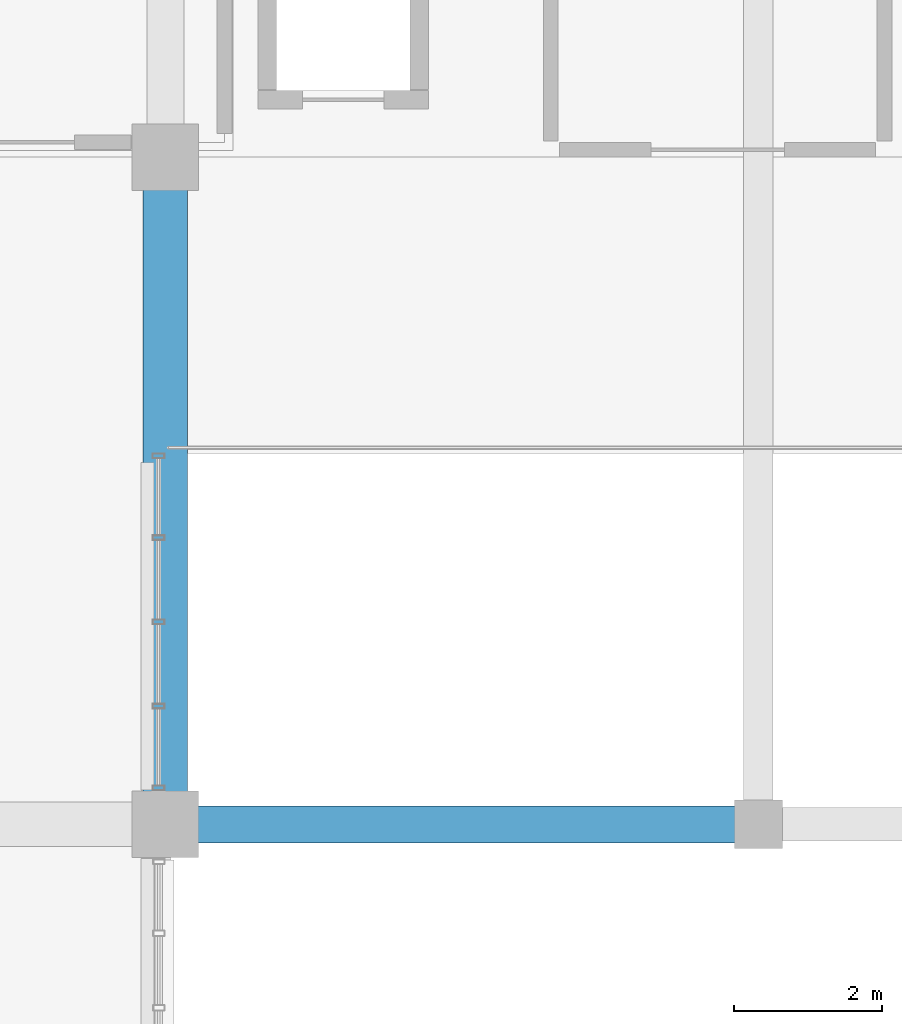
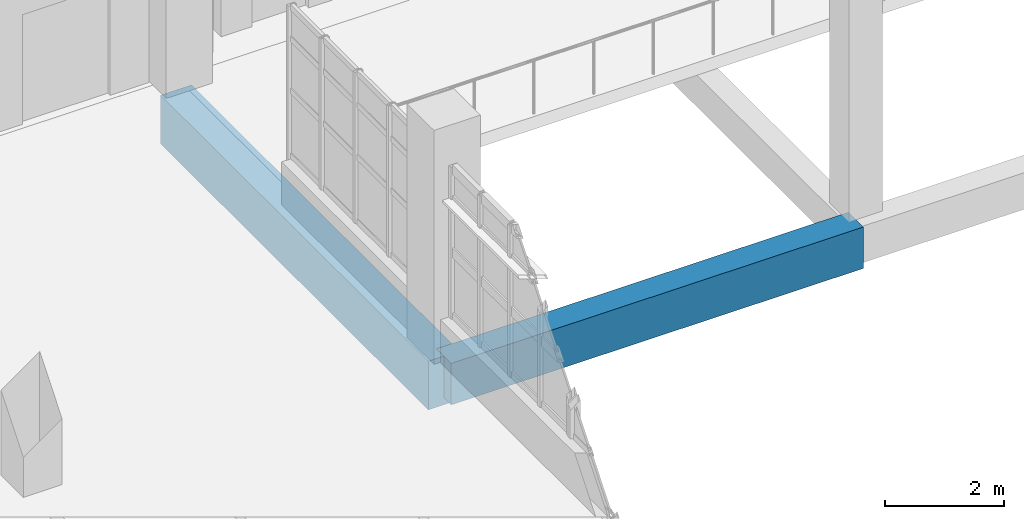
# One storey, part 26 of 102: 2 beams.
"""IFC4 building model written with IfcOpenShell, lengths in metres."""

from ifc_helpers import new_model, si_unit, derived_unit, direction, frame, origin, origin_2d, place, context, subcontext, project, spatial, rectangle, extrude, material, material_profile, profile_set, type_object, element, save


model = new_model("IFC4")

# Units and contexts
model_context = context("Model", 3, precision=1e-05, world=origin(), true_north=direction((0.0, 1.0)))
body_context = subcontext(model_context, "Body", "Model", "MODEL_VIEW")
ifc_project = project(units=[si_unit("LENGTHUNIT", "METRE"), si_unit("AREAUNIT", "SQUARE_METRE"), si_unit("VOLUMEUNIT", "CUBIC_METRE"), si_unit("PLANEANGLEUNIT", "RADIAN"), si_unit("MASSUNIT", "GRAM", prefix="KILO"), derived_unit("THERMALTRANSMITTANCEUNIT", [(si_unit("POWERUNIT", "WATT"), 1), (si_unit("LENGTHUNIT", "METRE"), -2), (si_unit("THERMODYNAMICTEMPERATUREUNIT", "KELVIN"), -1)])], contexts=[model_context])

# Site, building, storey
site_placement = place(None, origin())
site = spatial("IfcSite", under=ifc_project, at=site_placement, CompositionType="ELEMENT")
building_placement = place(site_placement, origin())
building = spatial("IfcBuilding", under=site, at=building_placement, Name="Nallur Shell Playhouse", CompositionType="ELEMENT")
storey_placement = place(building_placement, frame((0.0, 0.0, 15.0)))
storey = spatial("IfcBuildingStorey", under=building, at=storey_placement, Name="L04", CompositionType="ELEMENT", Elevation=15.0)

# Beams
ifc_material = material(Name="Concrete M40", Category="concrete")
ifc_material_profile_1 = material_profile(ifc_material, rectangle(XDim=0.5, YDim=0.85009765625, at=origin_2d()), Name="RC 500x850")
ifc_profile_set_1 = profile_set([ifc_material_profile_1], Name="Concrete M40")
beam_type_1 = type_object("IfcBeamType", Name="BM-RC-500x850", PredefinedType="BEAM", material=ifc_profile_set_1)
beam_1_placement = place(storey_placement, frame((40.0, 65.0, -0.68505859375), z_axis=(1.0, 0.0, 0.0), x_axis=(0.0, 1.0, 0.0)))
element("IfcBeam", 1, at=beam_1_placement, inside=storey, type_object=beam_type_1, Name="L04 girder X-H-797", PredefinedType="BEAM", context=body_context, shape_type="SweptSolid", body=[
    extrude(rectangle(XDim=0.5, YDim=0.85009765625, at=origin_2d()), origin(), (0.0, 0.0, 1.0), 8.0),
])
ifc_material_profile_2 = material_profile(ifc_material, rectangle(XDim=0.60009765625, YDim=1.0, at=origin_2d()), Name="RC 600x1000")
ifc_profile_set_2 = profile_set([ifc_material_profile_2], Name="Concrete M40")
beam_type_2 = type_object("IfcBeamType", Name="BM-RC-600x1000", PredefinedType="BEAM", material=ifc_profile_set_2)
beam_2_placement = place(storey_placement, frame((40.0, 65.0, -0.760009765625), z_axis=(0.0, 1.0, 0.0), x_axis=(-1.0, 0.0, 0.0)))
element("IfcBeam", 2, at=beam_2_placement, inside=storey, type_object=beam_type_2, Name="L04 girder Y-5-828", PredefinedType="BEAM", context=body_context, shape_type="SweptSolid", body=[
    extrude(rectangle(XDim=0.60009765625, YDim=1.0, at=origin_2d()), origin(), (0.0, 0.0, 1.0), 9.0),
])

save(model, "model.ifc")
